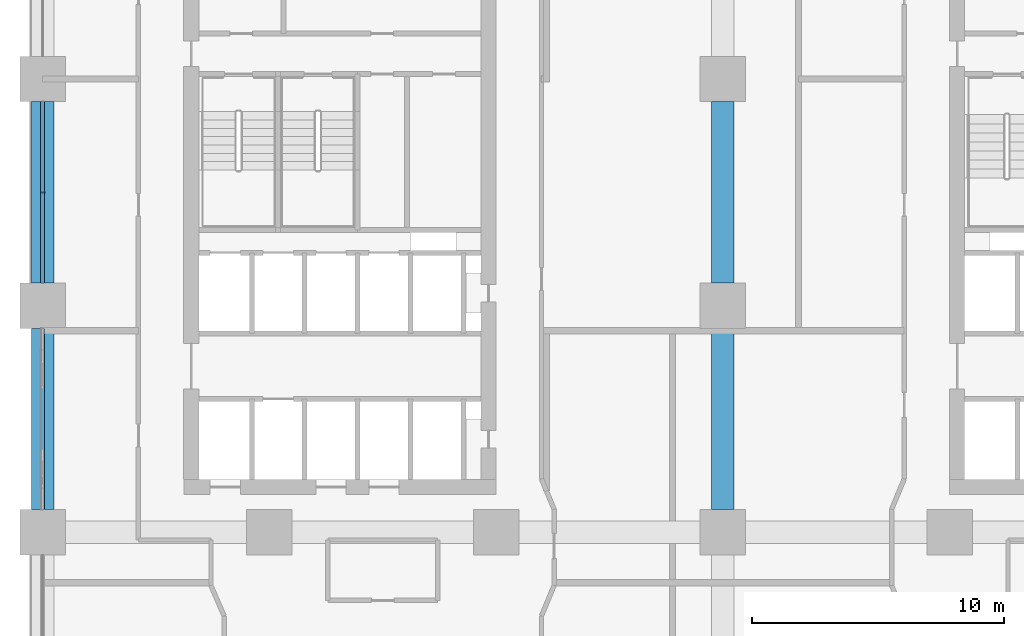
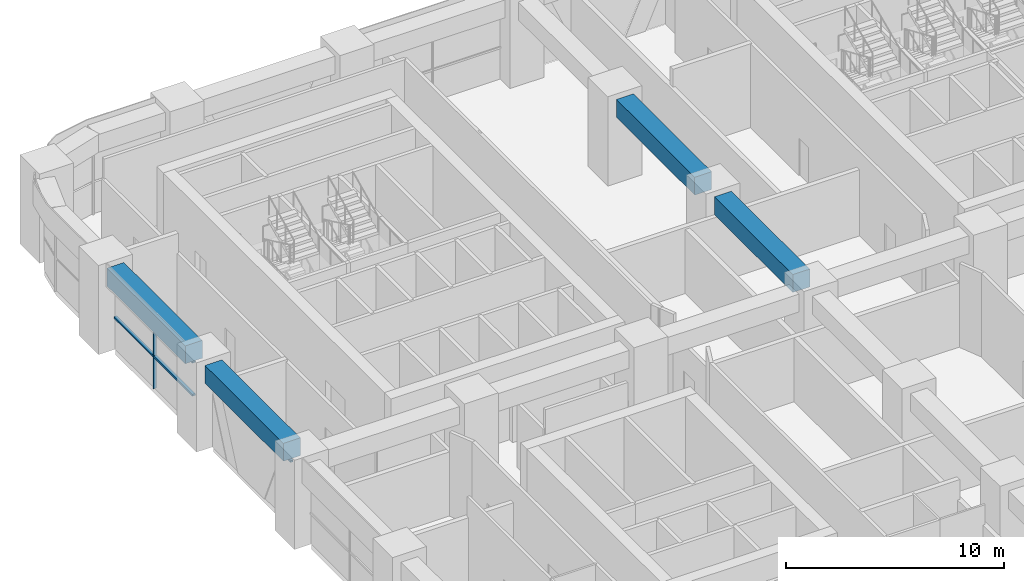
# One storey, part 7 of 26: 4 beams, 4 members, 2 elements without a shape of their own.
"""IFC4 building model written with IfcOpenShell, lengths in metres."""

from ifc_helpers import new_model, si_unit, direction, frame, origin, origin_2d, place, context, subcontext, project, spatial, rectangle, extrude, material, material_profile, profile_set, type_object, element, aggregate, save


model = new_model("IFC4")

# Units and contexts
model_context = context("Model", 3, precision=1e-05, world=origin(), true_north=direction((0.0, 1.0)))
body_context = subcontext(model_context, "Body", "Model", "MODEL_VIEW")
ifc_project = project(units=[si_unit("LENGTHUNIT", "METRE"), si_unit("AREAUNIT", "SQUARE_METRE"), si_unit("VOLUMEUNIT", "CUBIC_METRE"), si_unit("PLANEANGLEUNIT", "RADIAN"), si_unit("MASSUNIT", "GRAM", prefix="KILO")], contexts=[model_context])

# Site, building, storey
site_placement = place(None, origin())
site = spatial("IfcSite", under=ifc_project, at=site_placement, CompositionType="ELEMENT")
building_placement = place(site_placement, origin())
building = spatial("IfcBuilding", under=site, at=building_placement, Name="Tessera Arch", CompositionType="ELEMENT")
storey_placement = place(building_placement, frame((0.0, 0.0, 72.800048828125)))
storey = spatial("IfcBuildingStorey", under=building, at=storey_placement, Name="L16", CompositionType="ELEMENT", Elevation=72.800048828125)

# Curtain wall, members
ifc_material_1 = material(Name="CW1 curtain wall")
curtain_wall_type_1 = type_object("IfcCurtainWallType", Name="CW1 curtain wall", PredefinedType="NOTDEFINED", material=ifc_material_1)
curtain_wall_1_placement = place(storey_placement, origin())
curtain_wall_1 = element("IfcCurtainWall", 1, at=curtain_wall_1_placement, inside=storey, type_object=curtain_wall_type_1, Name="CW1 curtain wall W0.0/1 L16", PredefinedType="NOTDEFINED")
ifc_material_2 = material(Name="Anodised aluminium pale metal", Category="aluminium")
ifc_material_profile_1 = material_profile(ifc_material_2, rectangle(XDim=0.159912109375, YDim=0.06005859375, at=origin_2d()), Name="AL 60x160")
ifc_profile_set_1 = profile_set([ifc_material_profile_1], Name="Anodised aluminium pale metal")
member_type_1 = type_object("IfcMemberType", Name="CW1 mullion", PredefinedType="MULLION", material=ifc_profile_set_1)
member_1_placement = place(storey_placement, frame((0.0, 40.5, 0.0), z_axis=(0.0, 0.0, 1.0), x_axis=(1.0, 0.0, 0.0)))
member_1 = element("IfcMember", 2, at=member_1_placement, type_object=member_type_1, Name="CW1 mullion W0.0/1 1", PredefinedType="MULLION", context=body_context, shape_type="SweptSolid", body=[
    extrude(rectangle(XDim=0.159912109375, YDim=0.06005859375, at=origin_2d()), origin(), (0.0, 0.0, 1.0), 3.599853515625),
])
ifc_material_3 = material(Name="Anodised aluminium pale metal", Category="aluminium")
ifc_material_profile_2 = material_profile(ifc_material_3, rectangle(XDim=0.159912109375, YDim=0.10009765625, at=origin_2d()), Name="AL 160x100")
ifc_profile_set_2 = profile_set([ifc_material_profile_2], Name="Anodised aluminium pale metal")
member_type_2 = type_object("IfcMemberType", Name="CW1 transom", PredefinedType="USERDEFINED", material=ifc_profile_set_2)
member_2_placement = place(storey_placement, frame((0.0, 44.10009765625, 3.64990234375), z_axis=(0.0, -1.0, 0.0), x_axis=(1.0, 0.0, 0.0)))
member_2 = element("IfcMember", 3, at=member_2_placement, type_object=member_type_2, Name="CW1 transom W0.0/1 1.1", ObjectType="TRANSOM", PredefinedType="USERDEFINED", context=body_context, shape_type="SweptSolid", body=[
    extrude(rectangle(XDim=0.159912109375, YDim=0.10009765625, at=origin_2d()), origin(), (0.0, 0.0, 1.0), 7.2001953125),
])
member_3_placement = place(storey_placement, frame((0.0, 44.10009765625, 1.800048828125), z_axis=(0.0, -1.0, 0.0), x_axis=(1.0, 0.0, 0.0)))
member_3 = element("IfcMember", 4, at=member_3_placement, type_object=member_type_2, Name="CW1 transom W0.0/1 2.1", ObjectType="TRANSOM", PredefinedType="USERDEFINED", context=body_context, shape_type="SweptSolid", body=[
    extrude(rectangle(XDim=0.159912109375, YDim=0.10009765625, at=origin_2d()), origin(), (0.0, 0.0, 1.0), 7.2001953125),
])
aggregate(curtain_wall_1, [member_1, member_2, member_3])

# Curtain wall, member
ifc_material_4 = material(Name="CW3 curtain wall")
curtain_wall_type_2 = type_object("IfcCurtainWallType", Name="CW3 curtain wall", PredefinedType="NOTDEFINED", material=ifc_material_4)
curtain_wall_2_placement = place(storey_placement, origin())
curtain_wall_2 = element("IfcCurtainWall", 5, at=curtain_wall_2_placement, inside=storey, type_object=curtain_wall_type_2, Name="CW3 curtain wall W0.0/2 L16", PredefinedType="NOTDEFINED")
ifc_material_5 = material(Name="Anodised aluminium pale metal", Category="aluminium")
ifc_material_profile_3 = material_profile(ifc_material_5, rectangle(XDim=0.139892578125, YDim=0.10009765625, at=origin_2d()), Name="AL 140x100")
ifc_profile_set_3 = profile_set([ifc_material_profile_3], Name="Anodised aluminium pale metal")
member_type_3 = type_object("IfcMemberType", Name="CW3 transom", PredefinedType="USERDEFINED", material=ifc_profile_set_3)
member_4_placement = place(storey_placement, frame((0.0, 35.10009765625, 3.5400390625), z_axis=(0.0, -1.0, 0.0), x_axis=(1.0, 0.0, 0.0)))
member_4 = element("IfcMember", 6, at=member_4_placement, type_object=member_type_3, Name="CW3 transom W0.0/2 1.1", ObjectType="TRANSOM", PredefinedType="USERDEFINED", context=body_context, shape_type="SweptSolid", body=[
    extrude(rectangle(XDim=0.139892578125, YDim=0.10009765625, at=origin_2d()), origin(), (0.0, 0.0, 1.0), 7.2001953125),
])
aggregate(curtain_wall_2, [member_4])

# Beams
ifc_material_6 = material(Name="Concrete C80/95", Category="concrete")
ifc_material_profile_4 = material_profile(ifc_material_6, rectangle(XDim=0.89990234375, YDim=1.0, at=origin_2d()), Name="RC spandrel beam 900 x 1000 Concrete C80/95")
ifc_profile_set_4 = profile_set([ifc_material_profile_4], Name="Concrete C80/95")
beam_type = type_object("IfcBeamType", Name="RC spandrel beam 900 x 1000 Concrete C80/95", PredefinedType="BEAM", material=ifc_profile_set_4)
for number, where, z_axis, x_axis, name in (
    (7, (0.0, 44.10009765625, 4.199951171875), (0.0, -1.0, 0.0), (1.0, 0.0, 0.0), "Spandrel beam L16 W0.0/1"),
    (8, (0.0, 35.10009765625, 4.199951171875), (0.0, -1.0, 0.0), (1.0, 0.0, 0.0), "Spandrel beam L16 W0.0/2"),
    (9, (27.0, 27.89990234375, 4.199951171875), (0.0, 1.0, 0.0), (-1.0, 0.0, 0.0), "Interface beam L16 I0C4D-C4E"),
    (10, (27.0, 36.89990234375, 4.199951171875), (0.0, 1.0, 0.0), (-1.0, 0.0, 0.0), "Interface beam L16 I0C4E-C4F"),
):
    element("IfcBeam", number, at=place(storey_placement, frame(where, z_axis=z_axis, x_axis=x_axis)), inside=storey, type_object=beam_type, Name=name, PredefinedType="BEAM", context=body_context, shape_type="SweptSolid", body=[
        extrude(rectangle(XDim=0.89990234375, YDim=1.0, at=origin_2d()), origin(), (0.0, 0.0, 1.0), 7.2001953125),
    ])

save(model, "model.ifc")
